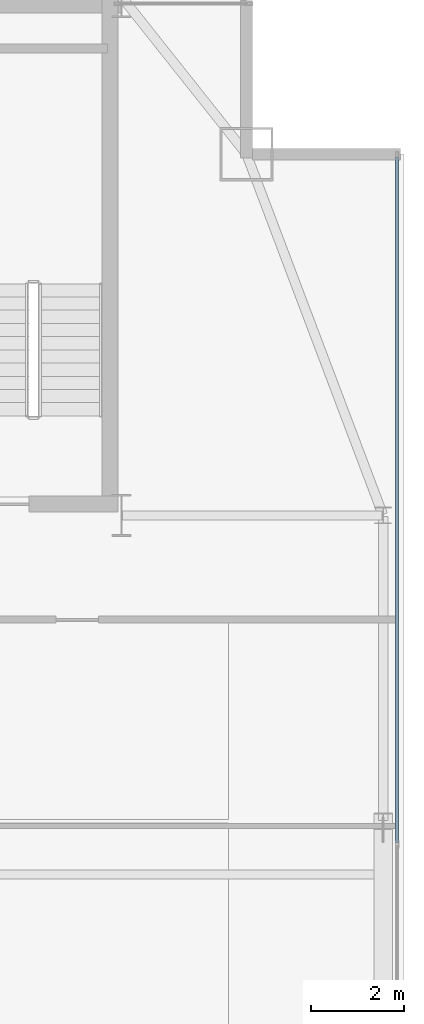
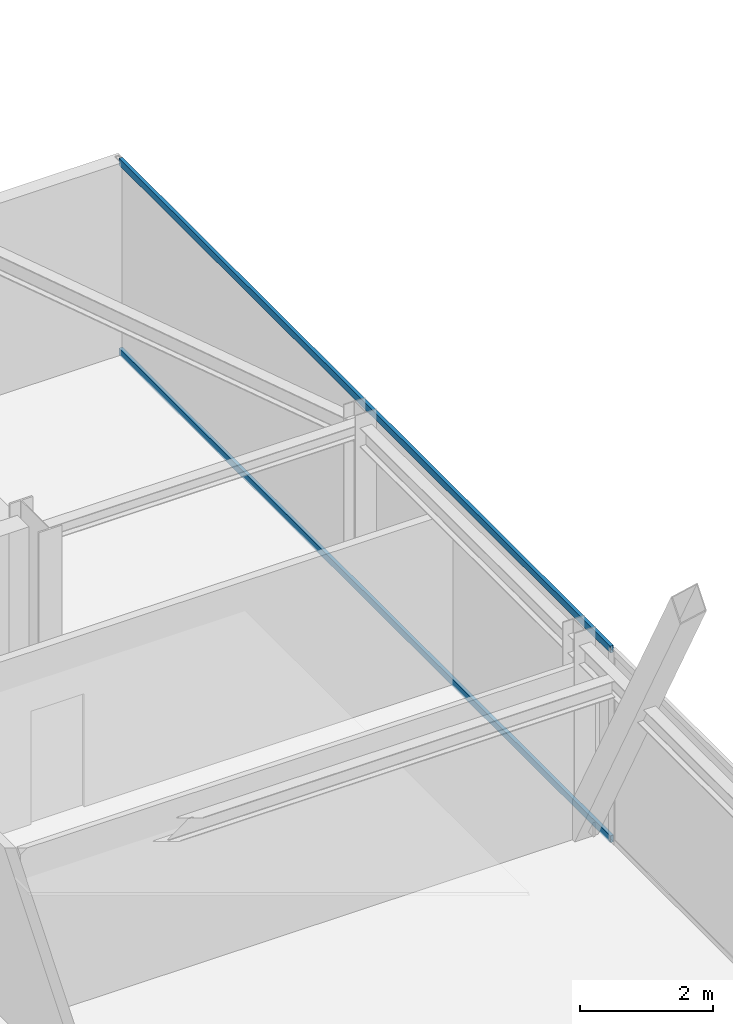
# One storey, part 20 of 31: 2 members, 1 element without a shape of its own.
"""IFC4 building model written with IfcOpenShell, lengths in metres."""

from ifc_helpers import new_model, si_unit, direction, frame, origin, origin_2d, place, context, subcontext, project, spatial, hollow_rectangle, extrude, source, transform, mapped, material, layer, layer_set, material_profile, profile_set, type_object, type_shapes, element, aggregate, save


model = new_model("IFC4")

# Units and contexts
model_context = context("Model", 3, precision=1e-05, world=origin(), true_north=direction((0.0, 1.0)))
body_context = subcontext(model_context, "Body", "Model", "MODEL_VIEW")
ifc_project = project(units=[si_unit("LENGTHUNIT", "METRE"), si_unit("AREAUNIT", "SQUARE_METRE"), si_unit("VOLUMEUNIT", "CUBIC_METRE"), si_unit("PLANEANGLEUNIT", "RADIAN"), si_unit("MASSUNIT", "GRAM", prefix="KILO")], contexts=[model_context])

# Site, building, storey
site_placement = place(None, origin())
site = spatial("IfcSite", under=ifc_project, at=site_placement, CompositionType="ELEMENT")
building_placement = place(site_placement, origin())
building = spatial("IfcBuilding", under=site, at=building_placement, Name="Varnel Quay Broadcast Tower", CompositionType="ELEMENT")
storey_placement = place(building_placement, frame((0.0, 0.0, 215.0)))
storey = spatial("IfcBuildingStorey", under=building, at=storey_placement, Name="L53", CompositionType="ELEMENT", Elevation=215.0)

# Curtain wall, members
ifc_material = material(Name="Anodised Bronze Aluminium 6063-T6", Category="aluminium")
ifc_layer = layer(ifc_material, 0.18994140625, Name="Anodised Bronze Aluminium 6063-T6")
ifc_layer_set = layer_set([ifc_layer], Name="Anodised Bronze Aluminium 6063-T6")
curtain_wall_type = type_object("IfcCurtainWallType", Name="CW_UpperTower", PredefinedType="NOTDEFINED", material=ifc_layer_set)
curtain_wall_placement = place(storey_placement, origin())
curtain_wall = element("IfcCurtainWall", 1, at=curtain_wall_placement, inside=storey, type_object=curtain_wall_type, Name="L53 East Unitised Curtain Wall", PredefinedType="NOTDEFINED")
ifc_material_profile = material_profile(ifc_material, hollow_rectangle(XDim=0.06005859375, YDim=0.125, WallThickness=0.0029296875, at=origin_2d()), Name="ALU60X125X3")
ifc_profile_set = profile_set([ifc_material_profile], Name="Anodised Bronze Aluminium 6063-T6")
member_type = type_object("IfcMemberType", Name="Tran_CWS-03", PredefinedType="USERDEFINED", material=ifc_profile_set)
shared_shape = source(origin(), body_context, "Body", "SweptSolid", [
    extrude(hollow_rectangle(XDim=0.06005859375, YDim=0.125, WallThickness=0.0029296875, at=origin_2d()), origin(), (0.0, 0.0, 1.0), 14.802490234375),
])
type_shapes(member_type, [shared_shape])
member_1_placement = place(storey_placement, frame((58.35009765625, 28.532470703125, 0.030029296875), z_axis=(0.0, 1.0, 0.0), x_axis=(-1.0, 0.0, 0.0)))
member_1 = element("IfcMember", 2, at=member_1_placement, type_object=member_type, Name="CWS-03 transom 2.1", ObjectType="TRANSOM", PredefinedType="USERDEFINED", context=body_context, shape_type="MappedRepresentation", body=[
    mapped(shared_shape, transform((0.0, 0.0, 0.0), x_axis=(1.0, 0.0, 0.0), y_axis=(0.0, 1.0, 0.0), z_axis=(0.0, 0.0, 1.0), scale=1.0)),
])
member_2_placement = place(storey_placement, frame((58.35009765625, 28.532470703125, 3.52001953125), z_axis=(0.0, 1.0, 0.0), x_axis=(-1.0, 0.0, 0.0)))
member_2 = element("IfcMember", 3, at=member_2_placement, type_object=member_type, Name="CWS-03 transom 2.2", ObjectType="TRANSOM", PredefinedType="USERDEFINED", context=body_context, shape_type="MappedRepresentation", body=[
    mapped(shared_shape, transform((0.0, 0.0, 0.0), x_axis=(1.0, 0.0, 0.0), y_axis=(0.0, 1.0, 0.0), z_axis=(0.0, 0.0, 1.0), scale=1.0)),
])
aggregate(curtain_wall, [member_1, member_2])

save(model, "model.ifc")
